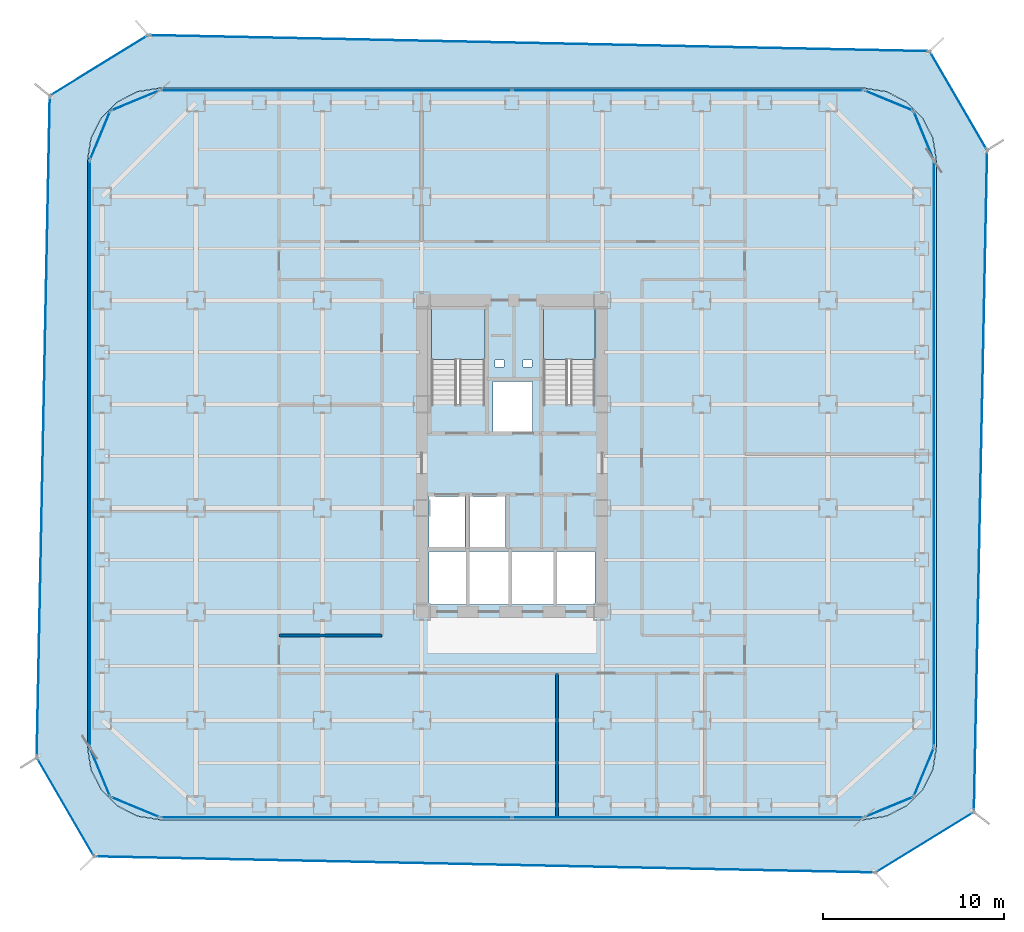
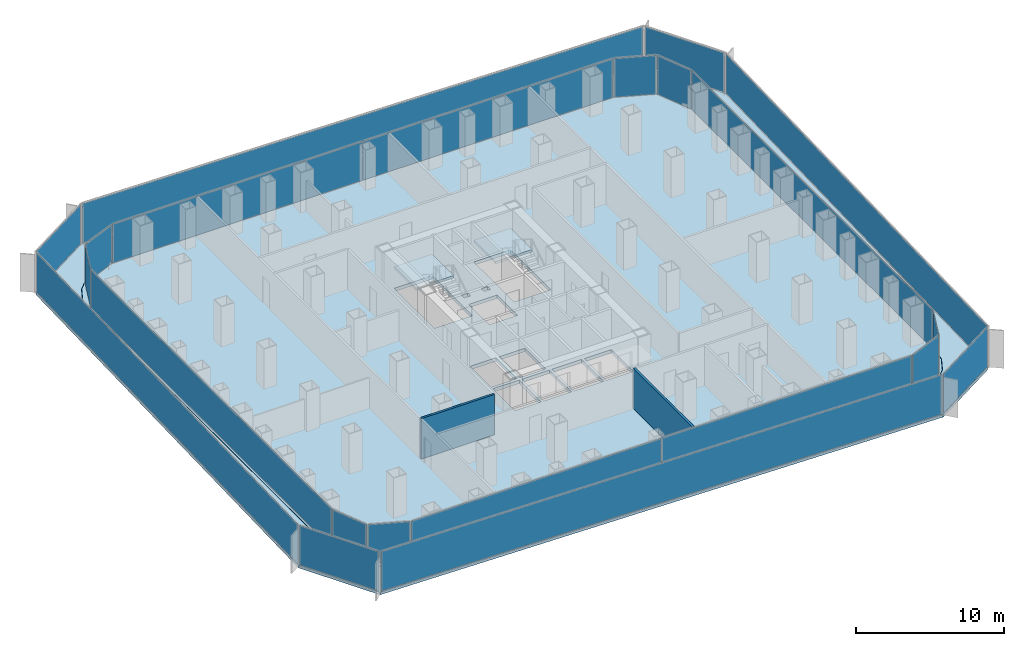
# One storey, part 16 of 21: 22 plates, 4 slabs, 2 walls, 22 elements without a shape of their own.
"""IFC4 building model written with IfcOpenShell, lengths in metres."""

from ifc_helpers import new_model, si_unit, direction, frame, frame_2d, origin, origin_2d, place, context, subcontext, project, spatial, polyline, rectangle, outline, extrude, source, transform, mapped, material, layer, layer_set, type_object, element, aggregate, save


model = new_model("IFC4")

# Units and contexts
model_context = context("Model", 3, precision=1e-05, world=origin(), true_north=direction((0.0, 1.0)))
body_context = subcontext(model_context, "Body", "Model", "MODEL_VIEW")
ifc_project = project(units=[si_unit("LENGTHUNIT", "METRE"), si_unit("AREAUNIT", "SQUARE_METRE"), si_unit("VOLUMEUNIT", "CUBIC_METRE"), si_unit("PLANEANGLEUNIT", "RADIAN"), si_unit("MASSUNIT", "GRAM", prefix="KILO")], contexts=[model_context])

# Site, building, storey
site_placement = place(None, origin())
site = spatial("IfcSite", under=ifc_project, at=site_placement, CompositionType="ELEMENT")
building_placement = place(site_placement, origin())
building = spatial("IfcBuilding", under=site, at=building_placement, Name="Kolveth Station Tower", CompositionType="ELEMENT")
storey_placement = place(building_placement, frame((0.0, 0.0, 44.10009765625)))
storey = spatial("IfcBuildingStorey", under=building, at=storey_placement, Name="L11", CompositionType="ELEMENT", Elevation=44.10009765625)

# Slab
ifc_material_1 = material(Name="Concrete C45/55", Category="concrete")
ifc_layer_1 = layer(ifc_material_1, 0.280029296875)
ifc_layer_set_1 = layer_set([ifc_layer_1], Name="Concrete C45/55")
slab_type_1 = type_object("IfcSlabType", Name="Slab_SF-280", PredefinedType="FLOOR", material=ifc_layer_set_1)
slab_1_placement = place(storey_placement, frame((0.0, 0.0, -0.280029296875)))
element("IfcSlab", 1, at=slab_1_placement, inside=storey, type_object=slab_type_1, Name="L11 Tower Structural Floor Slab", PredefinedType="FLOOR", context=body_context, shape_type="SweptSolid", body=[
    extrude(outline(polyline([(43.0, 0.0), (44.236083984375, 0.19580078125), (45.35107421875, 0.763916015625), (46.236083984375, 1.64892578125), (46.80419921875, 2.763916015625), (47.0, 4.0), (47.0, 36.5), (46.80419921875, 37.736083984375), (46.236083984375, 38.85107421875), (45.35107421875, 39.736083984375), (44.236083984375, 40.30419921875), (43.0, 40.5), (4.0, 40.5), (2.763916015625, 40.30419921875), (1.64892578125, 39.736083984375), (0.763916015625, 38.85107421875), (0.19580078125, 37.736083984375), (0.0, 36.5), (0.0, 4.0), (0.19580078125, 2.763916015625), (0.763916015625, 1.64892578125), (1.64892578125, 0.763916015625), (2.763916015625, 0.19580078125), (4.0, 0.0), (43.0, 0.0)]), holes=[polyline([(19.0400390625, 22.985107421875), (22.0, 22.985107421875), (22.0, 28.39990234375), (19.0400390625, 28.39990234375), (19.0400390625, 22.985107421875)]), polyline([(25.239990234375, 22.985107421875), (28.10009765625, 22.985107421875), (28.10009765625, 28.39990234375), (25.239990234375, 28.39990234375), (25.239990234375, 22.985107421875)]), polyline([(18.89990234375, 15.10009765625), (20.89990234375, 15.10009765625), (20.89990234375, 17.89990234375), (18.89990234375, 17.89990234375), (18.89990234375, 15.10009765625)]), polyline([(21.14990234375, 15.10009765625), (23.14990234375, 15.10009765625), (23.14990234375, 17.89990234375), (21.14990234375, 17.89990234375), (21.14990234375, 15.10009765625)]), polyline([(22.449951171875, 21.5), (24.64990234375, 21.5), (24.64990234375, 24.25), (22.449951171875, 24.25), (22.449951171875, 21.5)]), polyline([(18.89990234375, 11.89990234375), (20.949951171875, 11.89990234375), (20.949951171875, 14.85009765625), (18.89990234375, 14.85009765625), (18.89990234375, 11.89990234375)]), polyline([(21.14990234375, 11.89990234375), (23.300048828125, 11.89990234375), (23.300048828125, 14.85009765625), (21.14990234375, 14.85009765625), (21.14990234375, 11.89990234375)]), polyline([(23.5, 11.89990234375), (25.800048828125, 11.89990234375), (25.800048828125, 14.85009765625), (23.5, 14.85009765625), (23.5, 11.89990234375)]), polyline([(26.0, 11.89990234375), (28.10009765625, 11.89990234375), (28.10009765625, 14.85009765625), (26.0, 14.85009765625), (26.0, 11.89990234375)]), polyline([(22.550048828125, 25.050048828125), (23.050048828125, 25.050048828125), (23.050048828125, 25.449951171875), (22.550048828125, 25.449951171875), (22.550048828125, 25.050048828125)]), polyline([(24.10009765625, 25.050048828125), (24.60009765625, 25.050048828125), (24.60009765625, 25.449951171875), (24.10009765625, 25.449951171875), (24.10009765625, 25.050048828125)])]), origin(), (0.0, 0.0, 1.0), 0.280029296875),
])

# Stair, slab
ifc_material_2 = material(Name="Concrete C40/50", Category="concrete")
stair_type_1 = type_object("IfcStairType", Name="Stair_ST2", PredefinedType="HALF_TURN_STAIR", material=ifc_material_2)
stair_1_placement = place(storey_placement, origin())
stair_1 = element("IfcStair", 2, at=stair_1_placement, inside=storey, type_object=stair_type_1, Name="L11 Tower Exit Stair ST2", PredefinedType="HALF_TURN_STAIR")
ifc_layer_2 = layer(ifc_material_2, 0.18994140625)
ifc_layer_set_2 = layer_set([ifc_layer_2], Name="Concrete C40/50")
slab_type_2 = type_object("IfcSlabType", Name="Slab_SL-190", PredefinedType="LANDING", material=ifc_layer_set_2)
slab_2_placement = place(storey_placement, frame((0.0, 0.0, 1.599853515625)))
slab_2 = element("IfcSlab", 3, at=slab_2_placement, type_object=slab_type_2, Name="ST2 landing 1", PredefinedType="LANDING", context=body_context, shape_type="SweptSolid", body=[
    extrude(outline(polyline([(28.10009765625, 25.469970703125), (28.10009765625, 28.39990234375), (25.239990234375, 28.39990234375), (25.239990234375, 25.469970703125), (28.10009765625, 25.469970703125)])), origin(), (0.0, 0.0, 1.0), 0.199951171875),
])
aggregate(stair_1, [slab_2])

stair_type_2 = type_object("IfcStairType", Name="Stair_ST1", PredefinedType="HALF_TURN_STAIR", material=ifc_material_2)
stair_2_placement = place(storey_placement, origin())
stair_2 = element("IfcStair", 4, at=stair_2_placement, inside=storey, type_object=stair_type_2, Name="L11 Tower Exit Stair ST1", PredefinedType="HALF_TURN_STAIR")
ifc_layer_3 = layer(ifc_material_2, 0.205078125)
ifc_layer_set_3 = layer_set([ifc_layer_3], Name="Concrete C40/50")
slab_type_3 = type_object("IfcSlabType", Name="Slab_SL-205", PredefinedType="LANDING", material=ifc_layer_set_3)
slab_3_placement = place(storey_placement, frame((0.0, 0.0, 1.599853515625)))
slab_3 = element("IfcSlab", 5, at=slab_3_placement, type_object=slab_type_3, Name="ST1 landing 1", PredefinedType="LANDING", context=body_context, shape_type="SweptSolid", body=[
    extrude(outline(polyline([(22.0, 25.469970703125), (22.0, 28.39990234375), (19.0400390625, 28.39990234375), (19.0400390625, 25.469970703125), (22.0, 25.469970703125)])), origin(), (0.0, 0.0, 1.0), 0.199951171875),
])
aggregate(stair_2, [slab_3])

# Slab
ifc_layer_4 = layer(ifc_material_2, 0.2099609375)
ifc_layer_set_4 = layer_set([ifc_layer_4], Name="Concrete C40/50")
slab_type_4 = type_object("IfcSlabType", Name="Slab_ST-210", PredefinedType="FLOOR", material=ifc_layer_set_4)
slab_4_placement = place(storey_placement, frame((0.0, 0.0, -0.210205078125)))
element("IfcSlab", 6, at=slab_4_placement, inside=storey, type_object=slab_type_4, Name="L11 Double-Skin Cavity Structural Ledger Ring", PredefinedType="FLOOR", context=body_context, shape_type="SweptSolid", body=[
    extrude(outline(polyline([(0.365966796875, -2.04541015625), (-2.814208984375, 3.43701171875), (-2.0888671875, 40.085693359375), (3.36279296875, 43.4375), (46.634033203125, 42.54541015625), (49.821044921875, 37.063720703125), (49.0888671875, 0.414306640625), (43.63720703125, -2.9375), (0.365966796875, -2.04541015625)]), holes=[polyline([(43.002197265625, -0.014892578125), (44.23828125, 0.180908203125), (44.242919921875, 0.182373046875), (45.35791015625, 0.75048828125), (45.36181640625, 0.75341796875), (46.24658203125, 1.63818359375), (46.24951171875, 1.64208984375), (46.817626953125, 2.757080078125), (46.819091796875, 2.76171875), (47.014892578125, 3.997802734375), (47.014892578125, 4.0), (47.014892578125, 36.5), (47.014892578125, 36.502197265625), (46.819091796875, 37.73828125), (46.817626953125, 37.742919921875), (46.24951171875, 38.85791015625), (46.24658203125, 38.86181640625), (45.36181640625, 39.74658203125), (45.35791015625, 39.74951171875), (44.242919921875, 40.317626953125), (44.23828125, 40.319091796875), (43.002197265625, 40.514892578125), (43.0, 40.514892578125), (4.0, 40.514892578125), (3.997802734375, 40.514892578125), (2.76171875, 40.319091796875), (2.757080078125, 40.317626953125), (1.64208984375, 39.74951171875), (1.63818359375, 39.74658203125), (0.75341796875, 38.86181640625), (0.75048828125, 38.85791015625), (0.182373046875, 37.742919921875), (0.180908203125, 37.73828125), (-0.014892578125, 36.502197265625), (-0.014892578125, 36.5), (-0.014892578125, 4.0), (-0.014892578125, 3.997802734375), (0.180908203125, 2.76171875), (0.182373046875, 2.757080078125), (0.75048828125, 1.64208984375), (0.75341796875, 1.63818359375), (1.63818359375, 0.75341796875), (1.64208984375, 0.75048828125), (2.757080078125, 0.182373046875), (2.76171875, 0.180908203125), (3.997802734375, -0.014892578125), (4.0, -0.014892578125), (43.0, -0.014892578125), (43.002197265625, -0.014892578125)])]), origin(), (0.0, 0.0, 1.0), 0.210205078125),
])

# Curtain wall, plate
ifc_material_3 = material(Name="Aluminium 6063-T6 and low-E dark glass", Category="aluminium")
ifc_layer_5 = layer(ifc_material_3, 0.179931640625)
ifc_layer_set_5 = layer_set([ifc_layer_5], Name="Aluminium 6063-T6 and low-E dark glass")
curtain_wall_type_1 = type_object("IfcCurtainWallType", Name="CurtainWall_CW-Z1", PredefinedType="NOTDEFINED", material=ifc_layer_set_5)
curtain_wall_1_placement = place(storey_placement, origin())
curtain_wall_1 = element("IfcCurtainWall", 7, at=curtain_wall_1_placement, inside=storey, type_object=curtain_wall_type_1, Name="L11 Inner Thermal Curtain Wall 1", PredefinedType="NOTDEFINED")
ifc_material_4 = material(Name="Architectural low-E dark glass", Category="glass")
ifc_layer_6 = layer(ifc_material_4, 0.035888671875)
ifc_layer_set_6 = layer_set([ifc_layer_6], Name="Architectural low-E dark glass")
plate_type_1 = type_object("IfcPlateType", Name="Panel_GL1", PredefinedType="CURTAIN_PANEL", material=ifc_layer_set_6)
shared_shape_1 = source(origin(), body_context, "Body", "SweptSolid", [
    extrude(rectangle(XDim=2.83349609375, YDim=0.035888671875, at=origin_2d()), origin(), (0.0, 0.0, 1.0), 3.18408203125),
])
plate_1_placement = place(storey_placement, frame((44.371826171875, 0.688232421875, 0.06787109375), z_axis=(0.0, 0.0, 1.0), x_axis=(0.923883857728, 0.382672990201, 0.0)))
plate_1 = element("IfcPlate", 8, at=plate_1_placement, type_object=plate_type_1, Name="CW-Z1 panel 1.1", PredefinedType="CURTAIN_PANEL", context=body_context, shape_type="MappedRepresentation", body=[
    mapped(shared_shape_1, transform((0.0, 0.0, 0.0), x_axis=(1.0, 0.0, 0.0), y_axis=(0.0, 1.0, 0.0), z_axis=(0.0, 0.0, 1.0), scale=1.0)),
])
aggregate(curtain_wall_1, [plate_1])

curtain_wall_2_placement = place(storey_placement, origin())
curtain_wall_2 = element("IfcCurtainWall", 9, at=curtain_wall_2_placement, inside=storey, type_object=curtain_wall_type_1, Name="L11 Inner Thermal Curtain Wall 2", PredefinedType="NOTDEFINED")
plate_2_placement = place(storey_placement, frame((46.311767578125, 2.628173828125, 0.06787109375), z_axis=(0.0, 0.0, 1.0), x_axis=(0.382672990201, 0.923883857728, 0.0)))
plate_2 = element("IfcPlate", 10, at=plate_2_placement, type_object=plate_type_1, Name="CW-Z1 panel 1.1", PredefinedType="CURTAIN_PANEL", context=body_context, shape_type="MappedRepresentation", body=[
    mapped(shared_shape_1, transform((0.0, 0.0, 0.0), x_axis=(1.0, 0.0, 0.0), y_axis=(0.0, 1.0, 0.0), z_axis=(0.0, 0.0, 1.0), scale=1.0)),
])
aggregate(curtain_wall_2, [plate_2])

curtain_wall_3_placement = place(storey_placement, origin())
curtain_wall_3 = element("IfcCurtainWall", 11, at=curtain_wall_3_placement, inside=storey, type_object=curtain_wall_type_1, Name="L11 Inner Thermal Curtain Wall 4", PredefinedType="NOTDEFINED")
plate_3_placement = place(storey_placement, frame((46.311767578125, 37.871826171875, 0.06787109375), z_axis=(0.0, 0.0, 1.0), x_axis=(-0.382672990201, 0.923883857728, 0.0)))
plate_3 = element("IfcPlate", 12, at=plate_3_placement, type_object=plate_type_1, Name="CW-Z1 panel 1.1", PredefinedType="CURTAIN_PANEL", context=body_context, shape_type="MappedRepresentation", body=[
    mapped(shared_shape_1, transform((0.0, 0.0, 0.0), x_axis=(1.0, 0.0, 0.0), y_axis=(0.0, 1.0, 0.0), z_axis=(0.0, 0.0, 1.0), scale=1.0)),
])
aggregate(curtain_wall_3, [plate_3])

curtain_wall_4_placement = place(storey_placement, origin())
curtain_wall_4 = element("IfcCurtainWall", 13, at=curtain_wall_4_placement, inside=storey, type_object=curtain_wall_type_1, Name="L11 Inner Thermal Curtain Wall 5", PredefinedType="NOTDEFINED")
plate_4_placement = place(storey_placement, frame((44.371826171875, 39.811767578125, 0.06787109375), z_axis=(0.0, 0.0, 1.0), x_axis=(-0.923883857728, 0.382672990201, 0.0)))
plate_4 = element("IfcPlate", 14, at=plate_4_placement, type_object=plate_type_1, Name="CW-Z1 panel 1.1", PredefinedType="CURTAIN_PANEL", context=body_context, shape_type="MappedRepresentation", body=[
    mapped(shared_shape_1, transform((0.0, 0.0, 0.0), x_axis=(1.0, 0.0, 0.0), y_axis=(0.0, 1.0, 0.0), z_axis=(0.0, 0.0, 1.0), scale=1.0)),
])
aggregate(curtain_wall_4, [plate_4])

curtain_wall_5_placement = place(storey_placement, origin())
curtain_wall_5 = element("IfcCurtainWall", 15, at=curtain_wall_5_placement, inside=storey, type_object=curtain_wall_type_1, Name="L11 Inner Thermal Curtain Wall 7", PredefinedType="NOTDEFINED")
plate_5_placement = place(storey_placement, frame((2.628173828125, 39.811767578125, 0.06787109375), z_axis=(0.0, 0.0, 1.0), x_axis=(-0.923883857728, -0.382672990201, 0.0)))
plate_5 = element("IfcPlate", 16, at=plate_5_placement, type_object=plate_type_1, Name="CW-Z1 panel 1.1", PredefinedType="CURTAIN_PANEL", context=body_context, shape_type="MappedRepresentation", body=[
    mapped(shared_shape_1, transform((0.0, 0.0, 0.0), x_axis=(1.0, 0.0, 0.0), y_axis=(0.0, 1.0, 0.0), z_axis=(0.0, 0.0, 1.0), scale=1.0)),
])
aggregate(curtain_wall_5, [plate_5])

curtain_wall_6_placement = place(storey_placement, origin())
curtain_wall_6 = element("IfcCurtainWall", 17, at=curtain_wall_6_placement, inside=storey, type_object=curtain_wall_type_1, Name="L11 Inner Thermal Curtain Wall 8", PredefinedType="NOTDEFINED")
plate_6_placement = place(storey_placement, frame((0.688232421875, 37.871826171875, 0.06787109375), z_axis=(0.0, 0.0, 1.0), x_axis=(-0.382672990201, -0.923883857728, 0.0)))
plate_6 = element("IfcPlate", 18, at=plate_6_placement, type_object=plate_type_1, Name="CW-Z1 panel 1.1", PredefinedType="CURTAIN_PANEL", context=body_context, shape_type="MappedRepresentation", body=[
    mapped(shared_shape_1, transform((0.0, 0.0, 0.0), x_axis=(1.0, 0.0, 0.0), y_axis=(0.0, 1.0, 0.0), z_axis=(0.0, 0.0, 1.0), scale=1.0)),
])
aggregate(curtain_wall_6, [plate_6])

curtain_wall_7_placement = place(storey_placement, origin())
curtain_wall_7 = element("IfcCurtainWall", 19, at=curtain_wall_7_placement, inside=storey, type_object=curtain_wall_type_1, Name="L11 Inner Thermal Curtain Wall 10", PredefinedType="NOTDEFINED")
plate_7_placement = place(storey_placement, frame((0.688232421875, 2.628173828125, 0.06787109375), z_axis=(0.0, 0.0, 1.0), x_axis=(0.382672990201, -0.923883857728, 0.0)))
plate_7 = element("IfcPlate", 20, at=plate_7_placement, type_object=plate_type_1, Name="CW-Z1 panel 1.1", PredefinedType="CURTAIN_PANEL", context=body_context, shape_type="MappedRepresentation", body=[
    mapped(shared_shape_1, transform((0.0, 0.0, 0.0), x_axis=(1.0, 0.0, 0.0), y_axis=(0.0, 1.0, 0.0), z_axis=(0.0, 0.0, 1.0), scale=1.0)),
])
aggregate(curtain_wall_7, [plate_7])

curtain_wall_8_placement = place(storey_placement, origin())
curtain_wall_8 = element("IfcCurtainWall", 21, at=curtain_wall_8_placement, inside=storey, type_object=curtain_wall_type_1, Name="L11 Inner Thermal Curtain Wall 11", PredefinedType="NOTDEFINED")
plate_8_placement = place(storey_placement, frame((2.628173828125, 0.688232421875, 0.06787109375), z_axis=(0.0, 0.0, 1.0), x_axis=(0.923883857728, -0.382672990201, 0.0)))
plate_8 = element("IfcPlate", 22, at=plate_8_placement, type_object=plate_type_1, Name="CW-Z1 panel 1.1", PredefinedType="CURTAIN_PANEL", context=body_context, shape_type="MappedRepresentation", body=[
    mapped(shared_shape_1, transform((0.0, 0.0, 0.0), x_axis=(1.0, 0.0, 0.0), y_axis=(0.0, 1.0, 0.0), z_axis=(0.0, 0.0, 1.0), scale=1.0)),
])
aggregate(curtain_wall_8, [plate_8])

curtain_wall_9_placement = place(storey_placement, origin())
curtain_wall_9 = element("IfcCurtainWall", 23, at=curtain_wall_9_placement, inside=storey, type_object=curtain_wall_type_1, Name="L11 Inner Thermal Curtain Wall 3", PredefinedType="NOTDEFINED")
shared_shape_2 = source(origin(), body_context, "Body", "SweptSolid", [
    extrude(rectangle(XDim=32.364013671875, YDim=0.035888671875, at=origin_2d()), origin(), (0.0, 0.0, 1.0), 3.18408203125),
])
plate_9_placement = place(storey_placement, frame((46.8798828125, 20.25, 0.06787109375), z_axis=(0.0, 0.0, 1.0), x_axis=(0.0, 1.0, 0.0)))
plate_9 = element("IfcPlate", 24, at=plate_9_placement, type_object=plate_type_1, Name="CW-Z1 panel 1.1", PredefinedType="CURTAIN_PANEL", context=body_context, shape_type="MappedRepresentation", body=[
    mapped(shared_shape_2, transform((0.0, 0.0, 0.0), x_axis=(1.0, 0.0, 0.0), y_axis=(0.0, 1.0, 0.0), z_axis=(0.0, 0.0, 1.0), scale=1.0)),
])
aggregate(curtain_wall_9, [plate_9])

curtain_wall_10_placement = place(storey_placement, origin())
curtain_wall_10 = element("IfcCurtainWall", 25, at=curtain_wall_10_placement, inside=storey, type_object=curtain_wall_type_1, Name="L11 Inner Thermal Curtain Wall 9", PredefinedType="NOTDEFINED")
plate_10_placement = place(storey_placement, frame((0.1201171875, 20.25, 0.06787109375), z_axis=(0.0, 0.0, 1.0), x_axis=(0.0, -1.0, 0.0)))
plate_10 = element("IfcPlate", 26, at=plate_10_placement, type_object=plate_type_1, Name="CW-Z1 panel 1.1", PredefinedType="CURTAIN_PANEL", context=body_context, shape_type="MappedRepresentation", body=[
    mapped(shared_shape_2, transform((0.0, 0.0, 0.0), x_axis=(1.0, 0.0, 0.0), y_axis=(0.0, 1.0, 0.0), z_axis=(0.0, 0.0, 1.0), scale=1.0)),
])
aggregate(curtain_wall_10, [plate_10])

# Curtain wall, plates
curtain_wall_11_placement = place(storey_placement, origin())
curtain_wall_11 = element("IfcCurtainWall", 27, at=curtain_wall_11_placement, inside=storey, type_object=curtain_wall_type_1, Name="L11 Inner Thermal Curtain Wall 6", PredefinedType="NOTDEFINED")
shared_shape_3 = source(origin(), body_context, "Body", "SweptSolid", [
    extrude(rectangle(XDim=19.401611328125, YDim=0.035888671875, at=origin_2d()), origin(), (0.0, 0.0, 1.0), 3.18408203125),
])
plate_11_placement = place(storey_placement, frame((33.231201171875, 40.3798828125, 0.06787109375), z_axis=(0.0, 0.0, 1.0), x_axis=(-1.0, 0.0, 0.0)))
plate_11 = element("IfcPlate", 28, at=plate_11_placement, type_object=plate_type_1, Name="CW-Z1 panel 1.1", PredefinedType="CURTAIN_PANEL", context=body_context, shape_type="MappedRepresentation", body=[
    mapped(shared_shape_3, transform((0.0, 0.0, 0.0), x_axis=(1.0, 0.0, 0.0), y_axis=(0.0, 1.0, 0.0), z_axis=(0.0, 0.0, 1.0), scale=1.0)),
])
plate_12_placement = place(storey_placement, frame((13.768798828125, 40.3798828125, 0.06787109375), z_axis=(0.0, 0.0, 1.0), x_axis=(-1.0, 0.0, 0.0)))
plate_12 = element("IfcPlate", 29, at=plate_12_placement, type_object=plate_type_1, Name="CW-Z1 panel 2.1", PredefinedType="CURTAIN_PANEL", context=body_context, shape_type="MappedRepresentation", body=[
    mapped(shared_shape_3, transform((0.0, 0.0, 0.0), x_axis=(1.0, 0.0, 0.0), y_axis=(0.0, 1.0, 0.0), z_axis=(0.0, 0.0, 1.0), scale=1.0)),
])
aggregate(curtain_wall_11, [plate_11, plate_12])

curtain_wall_12_placement = place(storey_placement, origin())
curtain_wall_12 = element("IfcCurtainWall", 30, at=curtain_wall_12_placement, inside=storey, type_object=curtain_wall_type_1, Name="L11 Inner Thermal Curtain Wall 12", PredefinedType="NOTDEFINED")
plate_13_placement = place(storey_placement, frame((13.768798828125, 0.1201171875, 0.06787109375), z_axis=(0.0, 0.0, 1.0), x_axis=(1.0, 0.0, 0.0)))
plate_13 = element("IfcPlate", 31, at=plate_13_placement, type_object=plate_type_1, Name="CW-Z1 panel 1.1", PredefinedType="CURTAIN_PANEL", context=body_context, shape_type="MappedRepresentation", body=[
    mapped(shared_shape_3, transform((0.0, 0.0, 0.0), x_axis=(1.0, 0.0, 0.0), y_axis=(0.0, 1.0, 0.0), z_axis=(0.0, 0.0, 1.0), scale=1.0)),
])
plate_14_placement = place(storey_placement, frame((33.231201171875, 0.1201171875, 0.06787109375), z_axis=(0.0, 0.0, 1.0), x_axis=(1.0, 0.0, 0.0)))
plate_14 = element("IfcPlate", 32, at=plate_14_placement, type_object=plate_type_1, Name="CW-Z1 panel 2.1", PredefinedType="CURTAIN_PANEL", context=body_context, shape_type="MappedRepresentation", body=[
    mapped(shared_shape_3, transform((0.0, 0.0, 0.0), x_axis=(1.0, 0.0, 0.0), y_axis=(0.0, 1.0, 0.0), z_axis=(0.0, 0.0, 1.0), scale=1.0)),
])
aggregate(curtain_wall_12, [plate_13, plate_14])

# Curtain wall, plate
ifc_material_5 = material(Name="Black anodized aluminium 6063-T6 and dark solar glass", Category="aluminium")
ifc_layer_7 = layer(ifc_material_5, 0.159912109375)
ifc_layer_set_7 = layer_set([ifc_layer_7], Name="Black anodized aluminium 6063-T6 and dark solar glass")
curtain_wall_type_2 = type_object("IfcCurtainWallType", Name="OUTER SKIN CW-OS", PredefinedType="NOTDEFINED", material=ifc_layer_set_7)
curtain_wall_13_placement = place(storey_placement, origin())
curtain_wall_13 = element("IfcCurtainWall", 33, at=curtain_wall_13_placement, inside=storey, type_object=curtain_wall_type_2, Name="L11 Outer Ventilated Skin Curtain Wall 4", PredefinedType="NOTDEFINED")
ifc_layer_8 = layer(ifc_material_4, 0.028076171875)
ifc_layer_set_8 = layer_set([ifc_layer_8], Name="Architectural low-E dark glass")
plate_type_2 = type_object("IfcPlateType", Name="Panel_GL-OS", PredefinedType="CURTAIN_PANEL", material=ifc_layer_set_8)
shared_shape_4 = source(origin(), body_context, "Body", "SweptSolid", [
    extrude(rectangle(XDim=43.1142578125, YDim=0.028076171875, at=origin_2d()), origin(), (0.0, 0.0, 1.0), 3.243896484375),
])
plate_15_placement = place(storey_placement, frame((24.99853515625, 42.991455078125, 0.07275390625), z_axis=(0.0, 0.0, 1.0), x_axis=(-0.999787594648, 0.020609842001, 0.0)))
plate_15 = element("IfcPlate", 34, at=plate_15_placement, type_object=plate_type_2, Name="CW-OS panel 1.1", PredefinedType="CURTAIN_PANEL", context=body_context, shape_type="MappedRepresentation", body=[
    mapped(shared_shape_4, transform((0.0, 0.0, 0.0), x_axis=(1.0, 0.0, 0.0), y_axis=(0.0, 1.0, 0.0), z_axis=(0.0, 0.0, 1.0), scale=1.0)),
])
aggregate(curtain_wall_13, [plate_15])

curtain_wall_14_placement = place(storey_placement, origin())
curtain_wall_14 = element("IfcCurtainWall", 35, at=curtain_wall_14_placement, inside=storey, type_object=curtain_wall_type_2, Name="L11 Outer Ventilated Skin Curtain Wall 8", PredefinedType="NOTDEFINED")
plate_16_placement = place(storey_placement, frame((22.00146484375, -2.491455078125, 0.07275390625), z_axis=(0.0, 0.0, 1.0), x_axis=(0.999787594648, -0.020609842001, 0.0)))
plate_16 = element("IfcPlate", 36, at=plate_16_placement, type_object=plate_type_2, Name="CW-OS panel 1.1", PredefinedType="CURTAIN_PANEL", context=body_context, shape_type="MappedRepresentation", body=[
    mapped(shared_shape_4, transform((0.0, 0.0, 0.0), x_axis=(1.0, 0.0, 0.0), y_axis=(0.0, 1.0, 0.0), z_axis=(0.0, 0.0, 1.0), scale=1.0)),
])
aggregate(curtain_wall_14, [plate_16])

curtain_wall_15_placement = place(storey_placement, origin())
curtain_wall_15 = element("IfcCurtainWall", 37, at=curtain_wall_15_placement, inside=storey, type_object=curtain_wall_type_2, Name="L11 Outer Ventilated Skin Curtain Wall 1", PredefinedType="NOTDEFINED")
shared_shape_5 = source(origin(), body_context, "Body", "SweptSolid", [
    extrude(rectangle(XDim=6.233642578125, YDim=0.028076171875, at=origin_2d()), origin(), (0.0, 0.0, 1.0), 3.243896484375),
])
plate_17_placement = place(storey_placement, frame((46.363037109375, -1.261474609375, 0.07275390625), z_axis=(0.0, 0.0, 1.0), x_axis=(0.851880893124, 0.523735566798, 0.0)))
plate_17 = element("IfcPlate", 38, at=plate_17_placement, type_object=plate_type_2, Name="CW-OS panel 1.1", PredefinedType="CURTAIN_PANEL", context=body_context, shape_type="MappedRepresentation", body=[
    mapped(shared_shape_5, transform((0.0, 0.0, 0.0), x_axis=(1.0, 0.0, 0.0), y_axis=(0.0, 1.0, 0.0), z_axis=(0.0, 0.0, 1.0), scale=1.0)),
])
aggregate(curtain_wall_15, [plate_17])

curtain_wall_16_placement = place(storey_placement, origin())
curtain_wall_16 = element("IfcCurtainWall", 39, at=curtain_wall_16_placement, inside=storey, type_object=curtain_wall_type_2, Name="L11 Outer Ventilated Skin Curtain Wall 5", PredefinedType="NOTDEFINED")
plate_18_placement = place(storey_placement, frame((0.636962890625, 41.761474609375, 0.07275390625), z_axis=(0.0, 0.0, 1.0), x_axis=(-0.851880893124, -0.523735566798, 0.0)))
plate_18 = element("IfcPlate", 40, at=plate_18_placement, type_object=plate_type_2, Name="CW-OS panel 1.1", PredefinedType="CURTAIN_PANEL", context=body_context, shape_type="MappedRepresentation", body=[
    mapped(shared_shape_5, transform((0.0, 0.0, 0.0), x_axis=(1.0, 0.0, 0.0), y_axis=(0.0, 1.0, 0.0), z_axis=(0.0, 0.0, 1.0), scale=1.0)),
])
aggregate(curtain_wall_16, [plate_18])

curtain_wall_17_placement = place(storey_placement, origin())
curtain_wall_17 = element("IfcCurtainWall", 41, at=curtain_wall_17_placement, inside=storey, type_object=curtain_wall_type_2, Name="L11 Outer Ventilated Skin Curtain Wall 2", PredefinedType="NOTDEFINED")
shared_shape_6 = source(origin(), body_context, "Body", "SweptSolid", [
    extrude(rectangle(XDim=36.49072265625, YDim=0.028076171875, at=origin_2d()), origin(), (0.0, 0.0, 1.0), 3.243896484375),
])
plate_19_placement = place(storey_placement, frame((49.454833984375, 18.739013671875, 0.07275390625), z_axis=(0.0, 0.0, 1.0), x_axis=(0.019977239968, 0.999800435029, 0.0)))
plate_19 = element("IfcPlate", 42, at=plate_19_placement, type_object=plate_type_2, Name="CW-OS panel 1.1", PredefinedType="CURTAIN_PANEL", context=body_context, shape_type="MappedRepresentation", body=[
    mapped(shared_shape_6, transform((0.0, 0.0, 0.0), x_axis=(1.0, 0.0, 0.0), y_axis=(0.0, 1.0, 0.0), z_axis=(0.0, 0.0, 1.0), scale=1.0)),
])
aggregate(curtain_wall_17, [plate_19])

curtain_wall_18_placement = place(storey_placement, origin())
curtain_wall_18 = element("IfcCurtainWall", 43, at=curtain_wall_18_placement, inside=storey, type_object=curtain_wall_type_2, Name="L11 Outer Ventilated Skin Curtain Wall 3", PredefinedType="NOTDEFINED")
shared_shape_7 = source(origin(), body_context, "Body", "SweptSolid", [
    extrude(rectangle(XDim=6.1748046875, YDim=0.028076171875, at=origin_2d()), origin(), (0.0, 0.0, 1.0), 3.243896484375),
])
plate_20_placement = place(storey_placement, frame((48.2275390625, 39.804443359375, 0.07275390625), z_axis=(0.0, 0.0, 1.0), x_axis=(-0.50262813235, 0.864502724443, 0.0)))
plate_20 = element("IfcPlate", 44, at=plate_20_placement, type_object=plate_type_2, Name="CW-OS panel 1.1", PredefinedType="CURTAIN_PANEL", context=body_context, shape_type="MappedRepresentation", body=[
    mapped(shared_shape_7, transform((0.0, 0.0, 0.0), x_axis=(1.0, 0.0, 0.0), y_axis=(0.0, 1.0, 0.0), z_axis=(0.0, 0.0, 1.0), scale=1.0)),
])
aggregate(curtain_wall_18, [plate_20])

curtain_wall_19_placement = place(storey_placement, origin())
curtain_wall_19 = element("IfcCurtainWall", 45, at=curtain_wall_19_placement, inside=storey, type_object=curtain_wall_type_2, Name="L11 Outer Ventilated Skin Curtain Wall 6", PredefinedType="NOTDEFINED")
shared_shape_8 = source(origin(), body_context, "Body", "SweptSolid", [
    extrude(rectangle(XDim=36.48974609375, YDim=0.028076171875, at=origin_2d()), origin(), (0.0, 0.0, 1.0), 3.243896484375),
])
plate_21_placement = place(storey_placement, frame((-2.451416015625, 21.761474609375, 0.07275390625), z_axis=(0.0, 0.0, 1.0), x_axis=(-0.019789512944, -0.999804168414, 0.0)))
plate_21 = element("IfcPlate", 46, at=plate_21_placement, type_object=plate_type_2, Name="CW-OS panel 1.1", PredefinedType="CURTAIN_PANEL", context=body_context, shape_type="MappedRepresentation", body=[
    mapped(shared_shape_8, transform((0.0, 0.0, 0.0), x_axis=(1.0, 0.0, 0.0), y_axis=(0.0, 1.0, 0.0), z_axis=(0.0, 0.0, 1.0), scale=1.0)),
])
aggregate(curtain_wall_19, [plate_21])

curtain_wall_20_placement = place(storey_placement, origin())
curtain_wall_20 = element("IfcCurtainWall", 47, at=curtain_wall_20_placement, inside=storey, type_object=curtain_wall_type_2, Name="L11 Outer Ventilated Skin Curtain Wall 7", PredefinedType="NOTDEFINED")
shared_shape_9 = source(origin(), body_context, "Body", "SweptSolid", [
    extrude(rectangle(XDim=6.172119140625, YDim=0.028076171875, at=origin_2d()), origin(), (0.0, 0.0, 1.0), 3.243896484375),
])
plate_22_placement = place(storey_placement, frame((-1.22412109375, 0.69580078125, 0.07275390625), z_axis=(0.0, 0.0, 1.0), x_axis=(0.501759410375, -0.865007221993, 0.0)))
plate_22 = element("IfcPlate", 48, at=plate_22_placement, type_object=plate_type_2, Name="CW-OS panel 1.1", PredefinedType="CURTAIN_PANEL", context=body_context, shape_type="MappedRepresentation", body=[
    mapped(shared_shape_9, transform((0.0, 0.0, 0.0), x_axis=(1.0, 0.0, 0.0), y_axis=(0.0, 1.0, 0.0), z_axis=(0.0, 0.0, 1.0), scale=1.0)),
])
aggregate(curtain_wall_20, [plate_22])

# Walls
ifc_material_6 = material(Name="Acoustic double-stud gypsum partition")
ifc_layer_9 = layer(ifc_material_6, 0.1650390625)
ifc_layer_set_9 = layer_set([ifc_layer_9], Name="Acoustic double-stud gypsum partition")
wall_type = type_object("IfcWallType", Name="Wall_IW-165", PredefinedType="PARTITIONING", material=ifc_layer_set_9)
wall_1_placement = place(storey_placement, frame((10.60009765625, 10.199951171875, 0.0), z_axis=(0.0, 0.0, 1.0), x_axis=(1.0, 0.0, 0.0)))
element("IfcWall", 49, at=wall_1_placement, inside=storey, type_object=wall_type, Name="L11 Partition Wall WL-L11-OSWT", PredefinedType="PARTITIONING", context=body_context, shape_type="SweptSolid", body=[
    extrude(rectangle(XDim=5.699951171875, YDim=0.1650390625, at=frame_2d((2.85009765625, 0.0))), origin(), (0.0, 0.0, 1.0), 3.31982421875),
])
wall_2_placement = place(storey_placement, frame((26.0, 0.159912109375, 0.0), z_axis=(0.0, 0.0, 1.0), x_axis=(0.0, 1.0, 0.0)))
element("IfcWall", 50, at=wall_2_placement, inside=storey, type_object=wall_type, Name="L11 Partition Wall WL-L11-OS-P1", PredefinedType="PARTITIONING", context=body_context, shape_type="SweptSolid", body=[
    extrude(rectangle(XDim=7.940185546875, YDim=0.1650390625, at=frame_2d((3.97021484375, 0.0))), origin(), (0.0, 0.0, 1.0), 3.31982421875),
])

save(model, "model.ifc")
